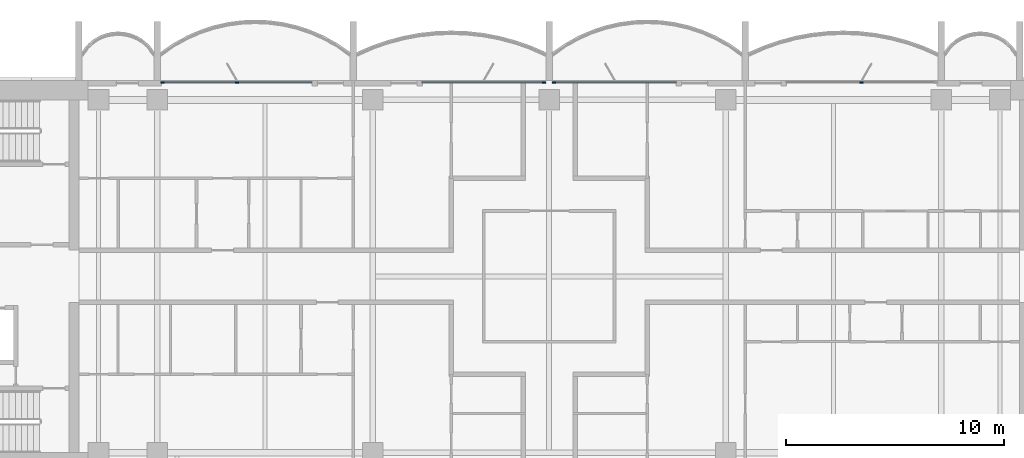
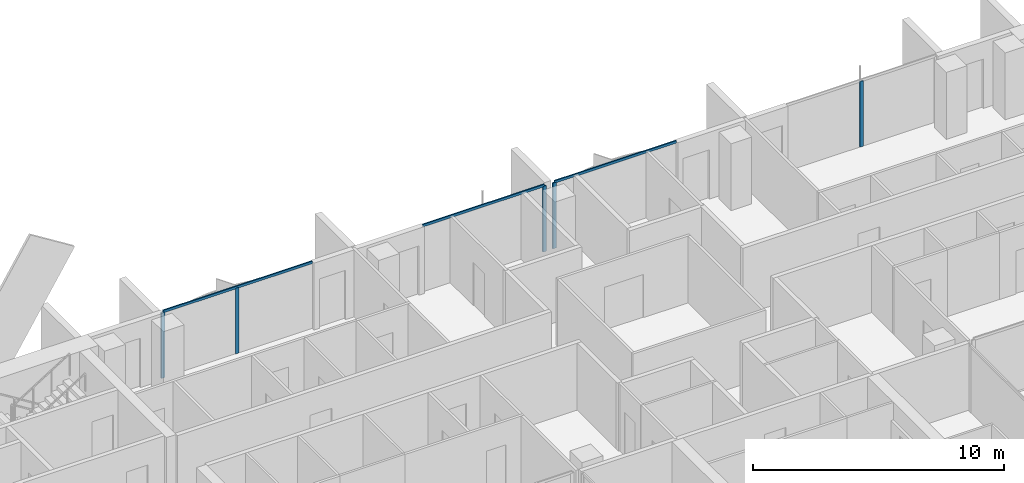
# One storey, part 5 of 17: 8 members, 4 elements without a shape of their own.
"""IFC4 building model written with IfcOpenShell, lengths in metres."""

from ifc_helpers import new_model, si_unit, direction, frame, origin, origin_2d, place, context, subcontext, project, spatial, rectangle, extrude, material, material_profile, profile_set, type_object, element, aggregate, save


model = new_model("IFC4")

# Units and contexts
model_context = context("Model", 3, precision=1e-05, world=origin(), true_north=direction((0.0, 1.0)))
body_context = subcontext(model_context, "Body", "Model", "MODEL_VIEW")
ifc_project = project(units=[si_unit("LENGTHUNIT", "METRE"), si_unit("AREAUNIT", "SQUARE_METRE"), si_unit("VOLUMEUNIT", "CUBIC_METRE"), si_unit("PLANEANGLEUNIT", "RADIAN"), si_unit("MASSUNIT", "GRAM", prefix="KILO")], contexts=[model_context])

# Site, building, storey
site_placement = place(None, origin())
site = spatial("IfcSite", under=ifc_project, at=site_placement, CompositionType="ELEMENT")
building_placement = place(site_placement, origin())
building = spatial("IfcBuilding", under=site, at=building_placement, Name="Perihelion Cross Residences", CompositionType="ELEMENT")
storey_placement = place(building_placement, frame((0.0, 0.0, 187.60009765625)))
storey = spatial("IfcBuildingStorey", under=building, at=storey_placement, Name="L46", CompositionType="ELEMENT", Elevation=187.60009765625)

# Curtain wall, member
ifc_material_1 = material(Name="Bronze anodised aluminium, tinted glazing", Category="aluminium")
curtain_wall_type = type_object("IfcCurtainWallType", Name="CW1", PredefinedType="NOTDEFINED", material=ifc_material_1)
curtain_wall_1_placement = place(storey_placement, origin())
curtain_wall_1 = element("IfcCurtainWall", 1, at=curtain_wall_1_placement, inside=storey, type_object=curtain_wall_type, Name="Curtain wall CW1 L46 east side north bay 2", PredefinedType="NOTDEFINED")
ifc_material_2 = material(Name="Bronze anodised aluminium", Category="aluminium")
ifc_material_profile_1 = material_profile(ifc_material_2, rectangle(XDim=0.06005859375, YDim=0.159912109375, at=origin_2d()), Name="CW1 mullion")
ifc_profile_set_1 = profile_set([ifc_material_profile_1], Name="Bronze anodised aluminium")
member_type_1 = type_object("IfcMemberType", Name="CW1 mullion", PredefinedType="MULLION", material=ifc_profile_set_1)
member_1_placement = place(storey_placement, frame((14.35009765625, 8.89990234375, 0.0), z_axis=(0.0, 0.0, 1.0), x_axis=(0.0, -1.0, 0.0)))
member_1 = element("IfcMember", 2, at=member_1_placement, type_object=member_type_1, Name="CW1 mullion 2", PredefinedType="MULLION", context=body_context, shape_type="SweptSolid", body=[
    extrude(rectangle(XDim=0.06005859375, YDim=0.159912109375, at=origin_2d()), origin(), (0.0, 0.0, 1.0), 3.18994140625),
])
aggregate(curtain_wall_1, [member_1])

curtain_wall_2_placement = place(storey_placement, origin())
curtain_wall_2 = element("IfcCurtainWall", 3, at=curtain_wall_2_placement, inside=storey, type_object=curtain_wall_type, Name="Curtain wall CW1 L46 north side east bay 1", PredefinedType="NOTDEFINED")
member_2_placement = place(storey_placement, frame((0.22998046875, 8.89990234375, 0.0), z_axis=(0.0, 0.0, 1.0), x_axis=(0.0, -1.0, 0.0)))
member_2 = element("IfcMember", 4, at=member_2_placement, type_object=member_type_1, Name="CW1 mullion 2", PredefinedType="MULLION", context=body_context, shape_type="SweptSolid", body=[
    extrude(rectangle(XDim=0.06005859375, YDim=0.159912109375, at=origin_2d()), origin(), (0.0, 0.0, 1.0), 3.18994140625),
])

curtain_wall_3_placement = place(storey_placement, origin())
curtain_wall_3 = element("IfcCurtainWall", 5, at=curtain_wall_3_placement, inside=storey, type_object=curtain_wall_type, Name="Curtain wall CW1 L46 north side east bay 2", PredefinedType="NOTDEFINED")
member_3_placement = place(storey_placement, frame((-0.22998046875, 8.89990234375, 0.0), z_axis=(0.0, 0.0, 1.0), x_axis=(0.0, -1.0, 0.0)))
member_3 = element("IfcMember", 6, at=member_3_placement, type_object=member_type_1, Name="CW1 mullion 1", PredefinedType="MULLION", context=body_context, shape_type="SweptSolid", body=[
    extrude(rectangle(XDim=0.06005859375, YDim=0.159912109375, at=origin_2d()), origin(), (0.0, 0.0, 1.0), 3.18994140625),
])

# Curtain wall, members
curtain_wall_4_placement = place(storey_placement, origin())
curtain_wall_4 = element("IfcCurtainWall", 7, at=curtain_wall_4_placement, inside=storey, type_object=curtain_wall_type, Name="Curtain wall CW1 L46 west side north bay 1", PredefinedType="NOTDEFINED")
member_4_placement = place(storey_placement, frame((-14.35009765625, 8.89990234375, 0.0), z_axis=(0.0, 0.0, 1.0), x_axis=(0.0, -1.0, 0.0)))
member_4 = element("IfcMember", 8, at=member_4_placement, type_object=member_type_1, Name="CW1 mullion 2", PredefinedType="MULLION", context=body_context, shape_type="SweptSolid", body=[
    extrude(rectangle(XDim=0.06005859375, YDim=0.159912109375, at=origin_2d()), origin(), (0.0, 0.0, 1.0), 3.18994140625),
])
member_5_placement = place(storey_placement, frame((-17.77001953125, 8.89990234375, 0.0), z_axis=(0.0, 0.0, 1.0), x_axis=(0.0, -1.0, 0.0)))
member_5 = element("IfcMember", 9, at=member_5_placement, type_object=member_type_1, Name="CW1 mullion 3", PredefinedType="MULLION", context=body_context, shape_type="SweptSolid", body=[
    extrude(rectangle(XDim=0.06005859375, YDim=0.159912109375, at=origin_2d()), origin(), (0.0, 0.0, 1.0), 3.18994140625),
])

# Member
ifc_material_3 = material(Name="Bronze anodised aluminium", Category="aluminium")
ifc_material_profile_2 = material_profile(ifc_material_3, rectangle(XDim=0.06005859375, YDim=0.1201171875, at=origin_2d()), Name="CW1 transom")
ifc_profile_set_2 = profile_set([ifc_material_profile_2], Name="Bronze anodised aluminium")
member_type_2 = type_object("IfcMemberType", Name="CW1 transom", PredefinedType="USERDEFINED", material=ifc_profile_set_2)
member_6_placement = place(storey_placement, frame((5.824951171875, 8.89990234375, 3.219970703125), z_axis=(-1.0, 0.0, 0.0), x_axis=(0.0, -1.0, 0.0)))
member_6 = element("IfcMember", 10, at=member_6_placement, type_object=member_type_2, Name="CW1 head transom", ObjectType="TRANSOM", PredefinedType="USERDEFINED", context=body_context, shape_type="SweptSolid", body=[
    extrude(rectangle(XDim=0.06005859375, YDim=0.1201171875, at=origin_2d()), origin(), (0.0, 0.0, 1.0), 5.594970703125),
])

aggregate(curtain_wall_2, [member_2, member_6])

member_7_placement = place(storey_placement, frame((-0.22998046875, 8.89990234375, 3.219970703125), z_axis=(-1.0, 0.0, 0.0), x_axis=(0.0, -1.0, 0.0)))
member_7 = element("IfcMember", 11, at=member_7_placement, type_object=member_type_2, Name="CW1 head transom", ObjectType="TRANSOM", PredefinedType="USERDEFINED", context=body_context, shape_type="SweptSolid", body=[
    extrude(rectangle(XDim=0.06005859375, YDim=0.1201171875, at=origin_2d()), origin(), (0.0, 0.0, 1.0), 5.594970703125),
])

aggregate(curtain_wall_3, [member_3, member_7])

member_8_placement = place(storey_placement, frame((-10.89990234375, 8.89990234375, 3.219970703125), z_axis=(-1.0, 0.0, 0.0), x_axis=(0.0, -1.0, 0.0)))
member_8 = element("IfcMember", 12, at=member_8_placement, type_object=member_type_2, Name="CW1 head transom", ObjectType="TRANSOM", PredefinedType="USERDEFINED", context=body_context, shape_type="SweptSolid", body=[
    extrude(rectangle(XDim=0.06005859375, YDim=0.1201171875, at=origin_2d()), origin(), (0.0, 0.0, 1.0), 6.8701171875),
])

aggregate(curtain_wall_4, [member_4, member_5, member_8])

save(model, "model.ifc")
